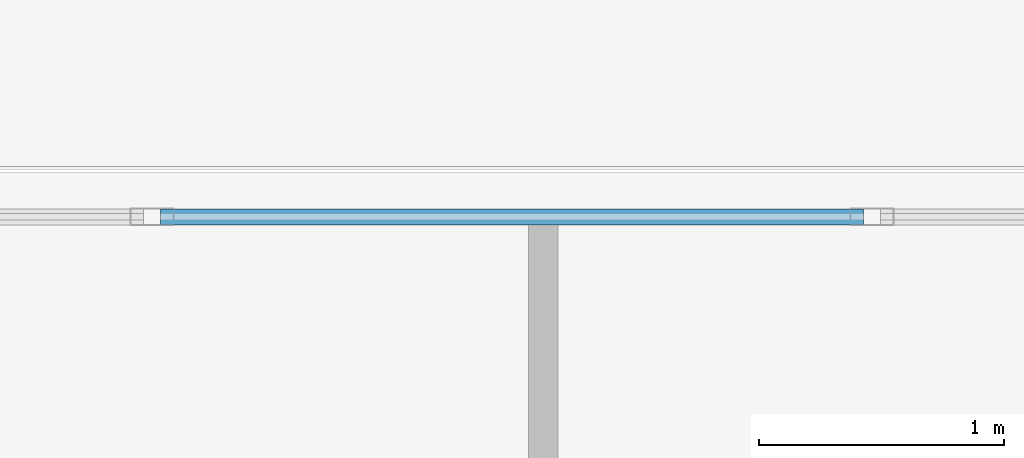
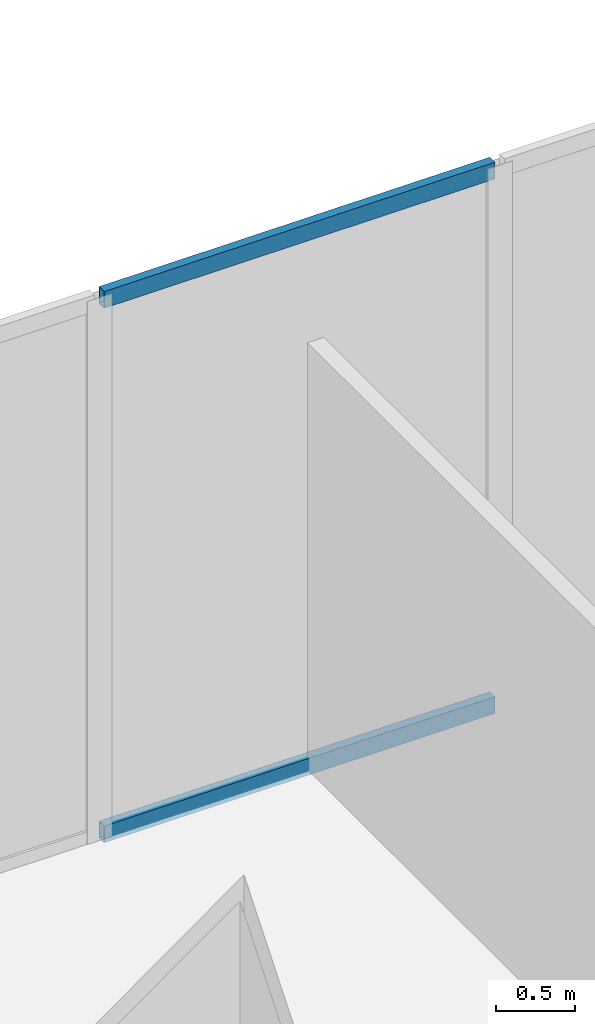
# One storey, part 19 of 31: 2 members, 1 element without a shape of its own.
"""IFC4 building model written with IfcOpenShell, lengths in metres."""

from ifc_helpers import new_model, si_unit, direction, frame, origin, origin_2d, place, context, subcontext, project, spatial, hollow_rectangle, extrude, material, layer, layer_set, material_profile, profile_set, type_object, element, aggregate, save


model = new_model("IFC4")

# Units and contexts
model_context = context("Model", 3, precision=1e-05, world=origin(), true_north=direction((0.0, 1.0)))
body_context = subcontext(model_context, "Body", "Model", "MODEL_VIEW")
ifc_project = project(units=[si_unit("LENGTHUNIT", "METRE"), si_unit("AREAUNIT", "SQUARE_METRE"), si_unit("VOLUMEUNIT", "CUBIC_METRE"), si_unit("PLANEANGLEUNIT", "RADIAN"), si_unit("MASSUNIT", "GRAM", prefix="KILO")], contexts=[model_context])

# Site, building, storey
site_placement = place(None, origin())
site = spatial("IfcSite", under=ifc_project, at=site_placement, CompositionType="ELEMENT")
building_placement = place(site_placement, origin())
building = spatial("IfcBuilding", under=site, at=building_placement, Name="Caelvoria Tower", CompositionType="ELEMENT")
storey_placement = place(building_placement, frame((0.0, 0.0, 9.5)))
storey = spatial("IfcBuildingStorey", under=building, at=storey_placement, Name="L02", CompositionType="ELEMENT", Elevation=9.5)

# Curtain wall, members
ifc_material_1 = material(Name="Anodised Bronze Aluminium and Low-E Glass", Category="aluminium")
ifc_layer = layer(ifc_material_1, 0.199951171875, Name="Anodised Bronze Aluminium and Low-E Glass")
ifc_layer_set = layer_set([ifc_layer], Name="CW System 1 Podium Arcade Unitised Glazing - Anodised Bronze Aluminium and Low-E Glass")
curtain_wall_type = type_object("IfcCurtainWallType", Name="CW System 1 Podium Arcade Unitised Glazing", PredefinedType="NOTDEFINED", material=ifc_layer_set)
curtain_wall_placement = place(storey_placement, origin())
curtain_wall = element("IfcCurtainWall", 1, at=curtain_wall_placement, inside=storey, type_object=curtain_wall_type, Name="CW-01 Curtain Wall L02-E4", PredefinedType="NOTDEFINED")
ifc_material_2 = material(Name="Anodised Bronze Architectural Aluminium", Category="aluminium")
ifc_material_profile = material_profile(ifc_material_2, hollow_rectangle(XDim=0.06494140625, YDim=0.1298828125, WallThickness=0.00341796875, at=origin_2d()), Name="Anodised Bronze Architectural Aluminium")
ifc_profile_set = profile_set([ifc_material_profile], Name="CW_TRAN_65X130 - Anodised Bronze Architectural Aluminium")
member_type = type_object("IfcMemberType", Name="Curtain Wall Transom 65x130 Bronze Aluminium", PredefinedType="USERDEFINED", material=ifc_profile_set)
member_1_placement = place(storey_placement, frame((72.392333984375, 57.6201171875, 0.032470703125), z_axis=(-1.0, 0.0, 0.0), x_axis=(0.0, -1.0, 0.0)))
member_1 = element("IfcMember", 2, at=member_1_placement, type_object=member_type, Name="CW-01 transom 3.1", ObjectType="TRANSOM", PredefinedType="USERDEFINED", context=body_context, shape_type="SweptSolid", body=[
    extrude(hollow_rectangle(XDim=0.06494140625, YDim=0.1298828125, WallThickness=0.00341796875, at=origin_2d()), origin(), (0.0, 0.0, 1.0), 2.866455078125),
])
member_2_placement = place(storey_placement, frame((72.392333984375, 57.6201171875, 4.177490234375), z_axis=(-1.0, 0.0, 0.0), x_axis=(0.0, -1.0, 0.0)))
member_2 = element("IfcMember", 3, at=member_2_placement, type_object=member_type, Name="CW-01 transom 3.2", ObjectType="TRANSOM", PredefinedType="USERDEFINED", context=body_context, shape_type="SweptSolid", body=[
    extrude(hollow_rectangle(XDim=0.06494140625, YDim=0.1298828125, WallThickness=0.00341796875, at=origin_2d()), origin(), (0.0, 0.0, 1.0), 2.866455078125),
])
aggregate(curtain_wall, [member_1, member_2])

save(model, "model.ifc")
